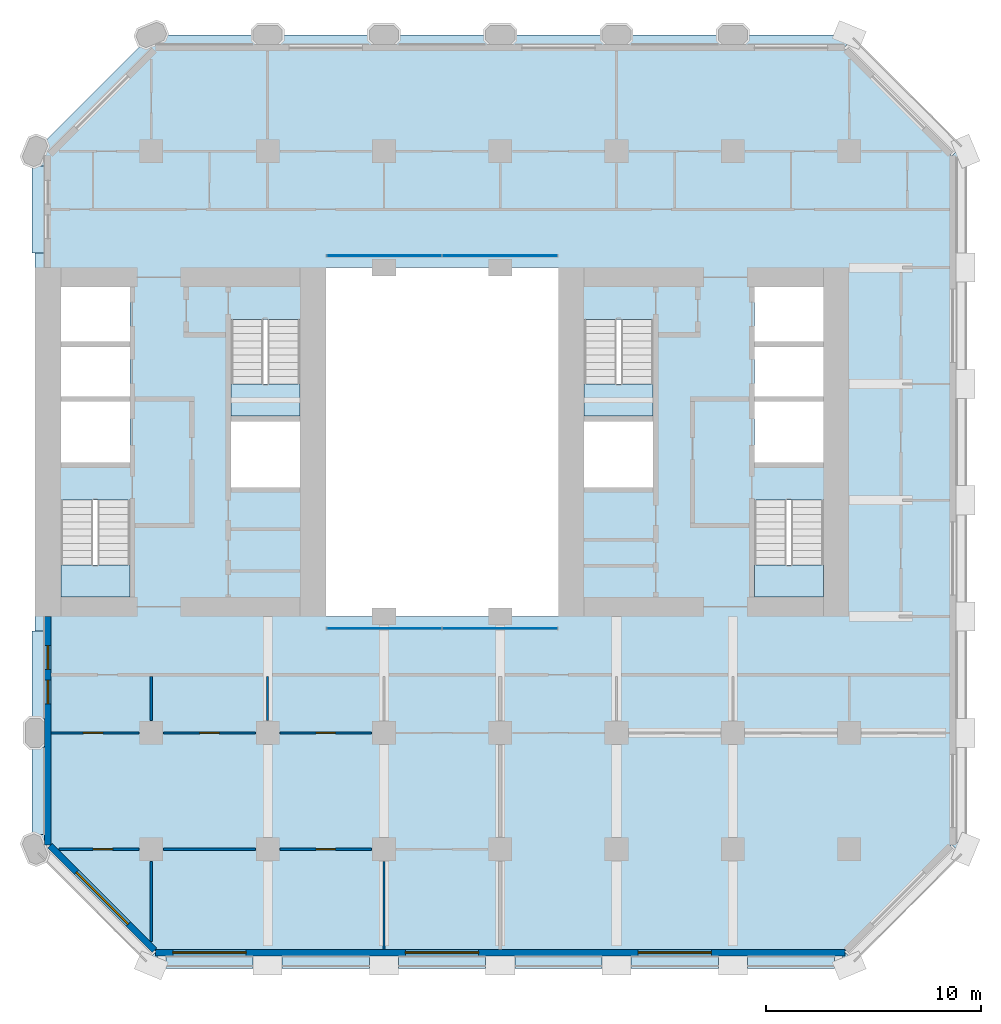
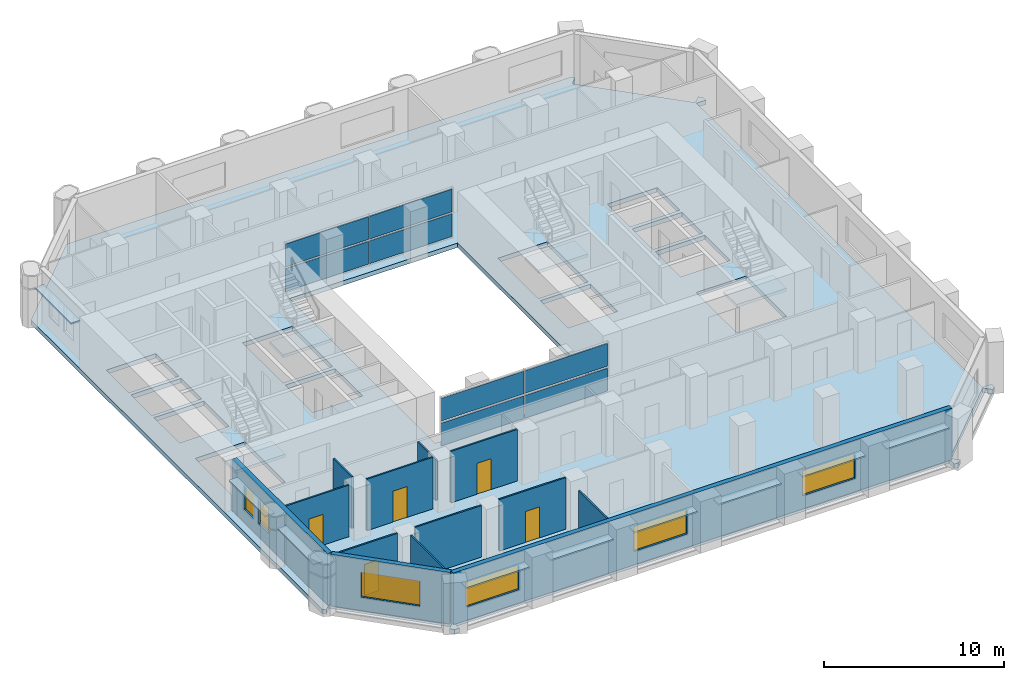
# One storey, part 7 of 13: 17 plates, 13 walls, 6 windows, 5 doors, 5 slabs, 11 openings, 6 elements without a shape of their own.
"""IFC4 building model written with IfcOpenShell, lengths in metres."""

from ifc_helpers import new_model, si_unit, direction, frame, frame_2d, origin, origin_2d, place, context, subcontext, project, spatial, polyline, rectangle, outline, extrude, material, layer, layer_set, type_object, element, fill, aggregate, save


model = new_model("IFC4")

# Units and contexts
model_context = context("Model", 3, precision=1e-05, world=origin(), true_north=direction((0.0, 1.0)))
body_context = subcontext(model_context, "Body", "Model", "MODEL_VIEW")
ifc_project = project(units=[si_unit("LENGTHUNIT", "METRE"), si_unit("AREAUNIT", "SQUARE_METRE"), si_unit("VOLUMEUNIT", "CUBIC_METRE"), si_unit("PLANEANGLEUNIT", "RADIAN"), si_unit("MASSUNIT", "GRAM", prefix="KILO")], contexts=[model_context])

# Site, building, storey
site_placement = place(None, origin())
site = spatial("IfcSite", under=ifc_project, at=site_placement, CompositionType="ELEMENT")
building_placement = place(site_placement, origin())
building = spatial("IfcBuilding", under=site, at=building_placement, Name="Tabaq Tower and Sports Hall", CompositionType="ELEMENT")
storey_placement = place(building_placement, frame((0.0, 0.0, 48.800048828125)))
storey = spatial("IfcBuildingStorey", under=building, at=storey_placement, Name="L10", CompositionType="ELEMENT", Elevation=48.800048828125)

# Curtain wall, plates
ifc_material_1 = material(Name="Aluminium alloy 6063-T6 framed glazing", Category="aluminium")
curtain_wall_type = type_object("IfcCurtainWallType", Name="CW1 curtain wall", PredefinedType="USERDEFINED", material=ifc_material_1)
curtain_wall_1_placement = place(storey_placement, origin())
curtain_wall_1 = element("IfcCurtainWall", 1, at=curtain_wall_1_placement, inside=storey, type_object=curtain_wall_type, Name="Atrium glazing L10 S", ObjectType="ATRIUM ENCLOSURE", PredefinedType="USERDEFINED")
ifc_material_2 = material(Name="Clear low-emissivity glass 28 mm", Category="glass")
ifc_layer_1 = layer(ifc_material_2, 0.028076171875)
ifc_layer_set_1 = layer_set([ifc_layer_1], Name="CW1 glass panel 28")
plate_type_1 = type_object("IfcPlateType", Name="CW1 glass panel 28", PredefinedType="CURTAIN_PANEL", material=ifc_layer_set_1)
plate_1_placement = place(storey_placement, frame((21.614990234375, 15.64990234375, 0.139892578125), z_axis=(0.0, 0.0, 1.0), x_axis=(1.0, 0.0, 0.0)))
plate_1 = element("IfcPlate", 2, at=plate_1_placement, type_object=plate_type_1, Name="CW1 panel 1.1", PredefinedType="CURTAIN_PANEL", context=body_context, shape_type="SweptSolid", body=[
    extrude(rectangle(XDim=5.31005859375, YDim=0.028076171875, at=origin_2d()), origin(), (0.0, 0.0, 1.0), 1.5400390625),
])
plate_2_placement = place(storey_placement, frame((21.614990234375, 15.64990234375, 1.81982421875), z_axis=(0.0, 0.0, 1.0), x_axis=(1.0, 0.0, 0.0)))
plate_2 = element("IfcPlate", 3, at=plate_2_placement, type_object=plate_type_1, Name="CW1 panel 1.2", PredefinedType="CURTAIN_PANEL", context=body_context, shape_type="SweptSolid", body=[
    extrude(rectangle(XDim=5.31005859375, YDim=0.028076171875, at=origin_2d()), origin(), (0.0, 0.0, 1.0), 1.5400390625),
])
plate_3_placement = place(storey_placement, frame((26.985107421875, 15.64990234375, 0.139892578125), z_axis=(0.0, 0.0, 1.0), x_axis=(1.0, 0.0, 0.0)))
plate_3 = element("IfcPlate", 4, at=plate_3_placement, type_object=plate_type_1, Name="CW1 panel 2.1", PredefinedType="CURTAIN_PANEL", context=body_context, shape_type="SweptSolid", body=[
    extrude(rectangle(XDim=5.31005859375, YDim=0.028076171875, at=origin_2d()), origin(), (0.0, 0.0, 1.0), 1.5400390625),
])
plate_4_placement = place(storey_placement, frame((26.985107421875, 15.64990234375, 1.81982421875), z_axis=(0.0, 0.0, 1.0), x_axis=(1.0, 0.0, 0.0)))
plate_4 = element("IfcPlate", 5, at=plate_4_placement, type_object=plate_type_1, Name="CW1 panel 2.2", PredefinedType="CURTAIN_PANEL", context=body_context, shape_type="SweptSolid", body=[
    extrude(rectangle(XDim=5.31005859375, YDim=0.028076171875, at=origin_2d()), origin(), (0.0, 0.0, 1.0), 1.5400390625),
])
aggregate(curtain_wall_1, [plate_1, plate_2, plate_3, plate_4])

curtain_wall_2_placement = place(storey_placement, origin())
curtain_wall_2 = element("IfcCurtainWall", 6, at=curtain_wall_2_placement, inside=storey, type_object=curtain_wall_type, Name="Atrium glazing L10 N", ObjectType="ATRIUM ENCLOSURE", PredefinedType="USERDEFINED")
plate_5_placement = place(storey_placement, frame((21.614990234375, 32.949951171875, 0.139892578125), z_axis=(0.0, 0.0, 1.0), x_axis=(1.0, 0.0, 0.0)))
plate_5 = element("IfcPlate", 7, at=plate_5_placement, type_object=plate_type_1, Name="CW1 panel 1.1", PredefinedType="CURTAIN_PANEL", context=body_context, shape_type="SweptSolid", body=[
    extrude(rectangle(XDim=5.31005859375, YDim=0.028076171875, at=origin_2d()), origin(), (0.0, 0.0, 1.0), 1.5400390625),
])
plate_6_placement = place(storey_placement, frame((21.614990234375, 32.949951171875, 1.81982421875), z_axis=(0.0, 0.0, 1.0), x_axis=(1.0, 0.0, 0.0)))
plate_6 = element("IfcPlate", 8, at=plate_6_placement, type_object=plate_type_1, Name="CW1 panel 1.2", PredefinedType="CURTAIN_PANEL", context=body_context, shape_type="SweptSolid", body=[
    extrude(rectangle(XDim=5.31005859375, YDim=0.028076171875, at=origin_2d()), origin(), (0.0, 0.0, 1.0), 1.5400390625),
])
plate_7_placement = place(storey_placement, frame((26.985107421875, 32.949951171875, 0.139892578125), z_axis=(0.0, 0.0, 1.0), x_axis=(1.0, 0.0, 0.0)))
plate_7 = element("IfcPlate", 9, at=plate_7_placement, type_object=plate_type_1, Name="CW1 panel 2.1", PredefinedType="CURTAIN_PANEL", context=body_context, shape_type="SweptSolid", body=[
    extrude(rectangle(XDim=5.31005859375, YDim=0.028076171875, at=origin_2d()), origin(), (0.0, 0.0, 1.0), 1.5400390625),
])
plate_8_placement = place(storey_placement, frame((26.985107421875, 32.949951171875, 1.81982421875), z_axis=(0.0, 0.0, 1.0), x_axis=(1.0, 0.0, 0.0)))
plate_8 = element("IfcPlate", 10, at=plate_8_placement, type_object=plate_type_1, Name="CW1 panel 2.2", PredefinedType="CURTAIN_PANEL", context=body_context, shape_type="SweptSolid", body=[
    extrude(rectangle(XDim=5.31005859375, YDim=0.028076171875, at=origin_2d()), origin(), (0.0, 0.0, 1.0), 1.5400390625),
])
aggregate(curtain_wall_2, [plate_5, plate_6, plate_7, plate_8])

# Stair, slab
ifc_material_3 = material(Name="Concrete C40/50", Category="concrete")
stair_type = type_object("IfcStairType", Name="Exit stair", PredefinedType="HALF_TURN_STAIR", material=ifc_material_3)
stair_1_placement = place(storey_placement, origin())
stair_1 = element("IfcStair", 11, at=stair_1_placement, inside=storey, type_object=stair_type, Name="L10 Exit stair ST1", PredefinedType="HALF_TURN_STAIR")
ifc_material_4 = material(Name="Concrete C40/50", Category="concrete")
ifc_layer_2 = layer(ifc_material_4, 0.199951171875)
ifc_layer_set_2 = layer_set([ifc_layer_2], Name="Exit stair landing")
slab_type_1 = type_object("IfcSlabType", Name="Exit stair landing", PredefinedType="LANDING", material=ifc_layer_set_2)
slab_1_placement = place(storey_placement, frame((0.0, 0.0, 1.699951171875)))
slab_1 = element("IfcSlab", 12, at=slab_1_placement, type_object=slab_type_1, Name="ST1 landing 1", PredefinedType="LANDING", context=body_context, shape_type="SweptSolid", body=[
    extrude(outline(polyline([(6.60009765625, 18.60009765625), (6.60009765625, 17.10009765625), (9.800048828125, 17.10009765625), (9.800048828125, 18.60009765625), (6.60009765625, 18.60009765625)])), origin(), (0.0, 0.0, 1.0), 0.199951171875),
])
aggregate(stair_1, [slab_1])

stair_2_placement = place(storey_placement, origin())
stair_2 = element("IfcStair", 13, at=stair_2_placement, inside=storey, type_object=stair_type, Name="L10 Exit stair ST2", PredefinedType="HALF_TURN_STAIR")
slab_2_placement = place(storey_placement, frame((0.0, 0.0, 1.699951171875)))
slab_2 = element("IfcSlab", 14, at=slab_2_placement, type_object=slab_type_1, Name="ST2 landing 1", PredefinedType="LANDING", context=body_context, shape_type="SweptSolid", body=[
    extrude(outline(polyline([(14.5, 27.0), (14.5, 25.5), (17.699951171875, 25.5), (17.699951171875, 27.0), (14.5, 27.0)])), origin(), (0.0, 0.0, 1.0), 0.199951171875),
])
aggregate(stair_2, [slab_2])

stair_3_placement = place(storey_placement, origin())
stair_3 = element("IfcStair", 15, at=stair_3_placement, inside=storey, type_object=stair_type, Name="L10 Exit stair ST3", PredefinedType="HALF_TURN_STAIR")
slab_3_placement = place(storey_placement, frame((0.0, 0.0, 1.699951171875)))
slab_3 = element("IfcSlab", 16, at=slab_3_placement, type_object=slab_type_1, Name="ST3 landing 1", PredefinedType="LANDING", context=body_context, shape_type="SweptSolid", body=[
    extrude(outline(polyline([(38.800048828125, 18.60009765625), (38.800048828125, 17.10009765625), (42.0, 17.10009765625), (42.0, 18.60009765625), (38.800048828125, 18.60009765625)])), origin(), (0.0, 0.0, 1.0), 0.199951171875),
])
aggregate(stair_3, [slab_3])

stair_4_placement = place(storey_placement, origin())
stair_4 = element("IfcStair", 17, at=stair_4_placement, inside=storey, type_object=stair_type, Name="L10 Exit stair ST4", PredefinedType="HALF_TURN_STAIR")
slab_4_placement = place(storey_placement, frame((0.0, 0.0, 1.699951171875)))
slab_4 = element("IfcSlab", 18, at=slab_4_placement, type_object=slab_type_1, Name="ST4 landing 1", PredefinedType="LANDING", context=body_context, shape_type="SweptSolid", body=[
    extrude(outline(polyline([(30.89990234375, 27.0), (30.89990234375, 25.5), (34.10009765625, 25.5), (34.10009765625, 27.0), (30.89990234375, 27.0)])), origin(), (0.0, 0.0, 1.0), 0.199951171875),
])
aggregate(stair_4, [slab_4])

# Slab
ifc_material_5 = material(Name="Concrete C40/50", Category="concrete")
ifc_layer_3 = layer(ifc_material_5, 0.300048828125)
ifc_layer_set_3 = layer_set([ifc_layer_3], Name="PT FLOOR SLAB 300 C40/50")
slab_type_2 = type_object("IfcSlabType", Name="PT FLOOR SLAB 300 C40/50", PredefinedType="FLOOR", material=ifc_layer_set_3)
slab_5_placement = place(storey_placement, frame((0.0, 0.0, -0.300048828125)))
element("IfcSlab", 19, at=slab_5_placement, inside=storey, type_object=slab_type_2, Name="Floor Slab L10", PredefinedType="FLOOR", context=body_context, shape_type="SweptSolid", body=[
    extrude(outline(polyline([(5.39990234375, 37.800048828125), (5.39990234375, 5.39990234375), (5.57666015625, 5.22314453125), (5.930419921875, 5.57666015625), (6.0009765625, 5.6474609375), (11.01318359375, 0.63525390625), (10.5888671875, 0.211181640625), (10.800048828125, 0.0), (11.0986328125, 0.0), (11.0986328125, 0.5), (11.0986328125, 0.60009765625), (42.9013671875, 0.60009765625), (42.9013671875, 0.5), (42.9013671875, 0.0), (43.199951171875, 0.0), (43.4111328125, 0.211181640625), (42.98681640625, 0.63525390625), (47.964599609375, 5.61328125), (48.035400390625, 5.54248046875), (48.388916015625, 5.18896484375), (48.60009765625, 5.39990234375), (48.60009765625, 5.698486328125), (48.10009765625, 5.698486328125), (48.0, 5.698486328125), (48.0, 37.50146484375), (48.10009765625, 37.50146484375), (48.60009765625, 37.50146484375), (48.60009765625, 37.800048828125), (48.388916015625, 38.010986328125), (48.035400390625, 37.657470703125), (47.964599609375, 37.5869140625), (42.952392578125, 42.598876953125), (43.023193359375, 42.669677734375), (43.376708984375, 43.023193359375), (43.199951171875, 43.199951171875), (10.800048828125, 43.199951171875), (5.39990234375, 37.800048828125)]), holes=[polyline([(6.60009765625, 21.599365234375), (9.800048828125, 21.599365234375), (9.800048828125, 17.10009765625), (6.60009765625, 17.10009765625), (6.60009765625, 21.599365234375)]), polyline([(17.699951171875, 25.25), (17.699951171875, 22.199951171875), (14.5, 22.199951171875), (14.5, 25.25), (17.699951171875, 25.25)]), polyline([(18.89990234375, 32.39990234375), (29.699951171875, 32.39990234375), (29.699951171875, 16.199951171875), (18.89990234375, 16.199951171875), (18.89990234375, 32.39990234375)]), polyline([(6.60009765625, 26.175048828125), (9.800048828125, 26.175048828125), (9.800048828125, 23.35009765625), (6.60009765625, 23.35009765625), (6.60009765625, 26.175048828125)]), polyline([(9.800048828125, 28.72509765625), (9.800048828125, 26.425048828125), (6.60009765625, 26.425048828125), (6.60009765625, 28.72509765625), (9.800048828125, 28.72509765625)]), polyline([(17.699951171875, 29.99951171875), (17.699951171875, 25.5), (14.5, 25.5), (14.5, 29.99951171875), (17.699951171875, 29.99951171875)]), polyline([(6.60009765625, 31.5), (9.800048828125, 31.5), (9.800048828125, 28.97509765625), (6.60009765625, 28.97509765625), (6.60009765625, 31.5)]), polyline([(42.0, 21.599365234375), (42.0, 17.10009765625), (38.800048828125, 17.10009765625), (38.800048828125, 21.599365234375), (42.0, 21.599365234375)]), polyline([(34.10009765625, 25.25), (34.10009765625, 22.199951171875), (30.89990234375, 22.199951171875), (30.89990234375, 25.25), (34.10009765625, 25.25)]), polyline([(42.0, 26.175048828125), (42.0, 23.35009765625), (38.800048828125, 23.35009765625), (38.800048828125, 26.175048828125), (42.0, 26.175048828125)]), polyline([(42.0, 28.72509765625), (42.0, 26.425048828125), (38.800048828125, 26.425048828125), (38.800048828125, 28.72509765625), (42.0, 28.72509765625)]), polyline([(34.10009765625, 29.99951171875), (34.10009765625, 25.5), (30.89990234375, 25.5), (30.89990234375, 29.99951171875), (34.10009765625, 29.99951171875)]), polyline([(42.0, 31.5), (42.0, 28.97509765625), (38.800048828125, 28.97509765625), (38.800048828125, 31.5), (42.0, 31.5)])]), origin(), (0.0, 0.0, 1.0), 0.300048828125),
])

# Plates
ifc_material_6 = material(Name="White precast concrete C60/75 blade", Category="concrete")
ifc_layer_4 = layer(ifc_material_6, 0.10009765625)
ifc_layer_set_4 = layer_set([ifc_layer_4], Name="White precast concrete C60/75 sunshade 100")
plate_type_2 = type_object("IfcPlateType", Name="White precast concrete C60/75 sunshade 100", PredefinedType="USERDEFINED", material=ifc_layer_set_4)
for number, where, z_axis, x_axis, name in (
    (20, (13.5, 0.14990234375, 2.599853515625), (0.0, 0.0, 1.0), (1.0, 0.0, 0.0), "Sunshade L10 S"),
    (21, (18.89990234375, 0.14990234375, 2.599853515625), (0.0, 0.0, 1.0), (1.0, 0.0, 0.0), "Sunshade L10 S"),
    (22, (24.300048828125, 0.14990234375, 2.599853515625), (0.0, 0.0, 1.0), (1.0, 0.0, 0.0), "Sunshade L10 S"),
    (23, (29.699951171875, 0.14990234375, 2.599853515625), (0.0, 0.0, 1.0), (1.0, 0.0, 0.0), "Sunshade L10 S"),
    (24, (35.10009765625, 0.14990234375, 2.599853515625), (0.0, 0.0, 1.0), (1.0, 0.0, 0.0), "Sunshade L10 S"),
    (25, (40.5, 0.14990234375, 2.599853515625), (0.0, 0.0, 1.0), (1.0, 0.0, 0.0), "Sunshade L10 S"),
    (26, (5.550048828125, 35.10009765625, 2.599853515625), (0.0, 0.0, 1.0), (0.0, -1.0, 0.0), "Sunshade L10 W"),
    (27, (5.550048828125, 13.5, 2.599853515625), (0.0, 0.0, 1.0), (0.0, -1.0, 0.0), "Sunshade L10 W"),
    (28, (5.550048828125, 8.10009765625, 2.599853515625), (0.0, 0.0, 1.0), (0.0, -1.0, 0.0), "Sunshade L10 W"),
):
    element("IfcPlate", number, at=place(storey_placement, frame(where, z_axis=z_axis, x_axis=x_axis)), inside=storey, type_object=plate_type_2, Name=name, ObjectType="SUNSHADE", PredefinedType="USERDEFINED", context=body_context, shape_type="SweptSolid", body=[
        extrude(rectangle(XDim=4.050048828125, YDim=0.60009765625, at=origin_2d()), origin(), (0.0, 0.0, 1.0), 0.10009765625),
    ])

# Wall, opening, door
ifc_material_7 = material(Name="Gypsum board on steel studs", Category="steel")
ifc_layer_5 = layer(ifc_material_7, 0.10009765625)
ifc_layer_set_5 = layer_set([ifc_layer_5], Name="Partition 100 Gypsum board")
wall_type_1 = type_object("IfcWallType", Name="Partition 100 Gypsum board", PredefinedType="PARTITIONING", material=ifc_layer_set_5)
wall_1_placement = place(storey_placement, frame((6.15087890625, 10.800048828125, 0.0), z_axis=(0.0, 0.0, 1.0), x_axis=(1.0, 0.0, 0.0)))
wall_1 = element("IfcWall", 29, at=wall_1_placement, inside=storey, type_object=wall_type_1, Name="Partition wall L10", PredefinedType="PARTITIONING", context=body_context, shape_type="SweptSolid", body=[
    extrude(rectangle(XDim=4.0791015625, YDim=0.10009765625, at=frame_2d((2.03955078125, 0.0))), origin(), (0.0, 0.0, 1.0), 3.5),
])
opening_1_placement = place(wall_1_placement, frame((1.4990234375, 0.0, 0.0)))
opening_1 = element("IfcOpeningElement", 30, at=opening_1_placement, cuts=wall_1, Name="Opening L10-027", PredefinedType="OPENING", context=body_context, shape_type="SweptSolid", body=[
    extrude(rectangle(XDim=0.89990234375, YDim=2.10009765625, at=frame_2d((0.449951171875, 1.050048828125))), frame((0.0, 0.050048828125, 0.0), z_axis=(0.0, -1.0, 0.0), x_axis=(1.0, 0.0, 0.0)), (0.0, 0.0, 1.0), 0.10009765625),
])
ifc_material_8 = material(Name="Timber leaf in steel frame", Category="steel")
door_type_1 = type_object("IfcDoorType", Name="Internal door 900 left hand", OperationType="SINGLE_SWING_LEFT", PredefinedType="DOOR", material=ifc_material_8)
door_1_placement = place(opening_1_placement, origin())
door_1 = element("IfcDoor", 31, at=door_1_placement, inside=storey, type_object=door_type_1, Name="Internal door L10-027", OperationType="SINGLE_SWING_LEFT", OverallHeight=2.10009765625, OverallWidth=0.89990234375, PredefinedType="DOOR", context=body_context, shape_type="SweptSolid", body=[
    extrude(rectangle(XDim=0.89990234375, YDim=2.10009765625, at=frame_2d((0.449951171875, 1.050048828125))), frame((0.0, 0.02490234375, 0.0), z_axis=(0.0, -1.0, 0.0), x_axis=(1.0, 0.0, 0.0)), (0.0, 0.0, 1.0), 0.050048828125),
])
fill(opening_1, door_1)

# Wall
wall_2_placement = place(storey_placement, frame((10.800048828125, 11.3701171875, 0.0), z_axis=(0.0, 0.0, 1.0), x_axis=(0.0, 1.0, 0.0)))
element("IfcWall", 32, at=wall_2_placement, inside=storey, type_object=wall_type_1, Name="Partition wall L10", PredefinedType="PARTITIONING", context=body_context, shape_type="SweptSolid", body=[
    extrude(rectangle(XDim=2.054931640625, YDim=0.10009765625, at=frame_2d((1.02734375, 0.0))), origin(), (0.0, 0.0, 1.0), 3.5),
])

# Wall, opening, door
wall_3_placement = place(storey_placement, frame((11.3701171875, 10.800048828125, 0.0), z_axis=(0.0, 0.0, 1.0), x_axis=(1.0, 0.0, 0.0)))
wall_3 = element("IfcWall", 33, at=wall_3_placement, inside=storey, type_object=wall_type_1, Name="Partition wall L10", PredefinedType="PARTITIONING", context=body_context, shape_type="SweptSolid", body=[
    extrude(rectangle(XDim=4.259765625, YDim=0.10009765625, at=frame_2d((2.1298828125, 0.0))), origin(), (0.0, 0.0, 1.0), 3.5),
])
opening_2_placement = place(wall_3_placement, frame((1.679931640625, 0.0, 0.0)))
opening_2 = element("IfcOpeningElement", 34, at=opening_2_placement, cuts=wall_3, Name="Opening L10-013", PredefinedType="OPENING", context=body_context, shape_type="SweptSolid", body=[
    extrude(rectangle(XDim=0.89990234375, YDim=2.10009765625, at=frame_2d((0.449951171875, 1.050048828125))), frame((0.0, 0.050048828125, 0.0), z_axis=(0.0, -1.0, 0.0), x_axis=(1.0, 0.0, 0.0)), (0.0, 0.0, 1.0), 0.10009765625),
])
ifc_material_9 = material(Name="Timber leaf in steel frame", Category="steel")
door_type_2 = type_object("IfcDoorType", Name="Internal door 900 right hand", OperationType="SINGLE_SWING_RIGHT", PredefinedType="DOOR", material=ifc_material_9)
door_2_placement = place(opening_2_placement, origin())
door_2 = element("IfcDoor", 35, at=door_2_placement, inside=storey, type_object=door_type_2, Name="Internal door L10-013", OperationType="SINGLE_SWING_RIGHT", OverallHeight=2.10009765625, OverallWidth=0.89990234375, PredefinedType="DOOR", context=body_context, shape_type="SweptSolid", body=[
    extrude(rectangle(XDim=0.89990234375, YDim=2.10009765625, at=frame_2d((0.449951171875, 1.050048828125))), frame((0.0, 0.02490234375, 0.0), z_axis=(0.0, -1.0, 0.0), x_axis=(1.0, 0.0, 0.0)), (0.0, 0.0, 1.0), 0.050048828125),
])
fill(opening_2, door_2)

# Wall
wall_4_placement = place(storey_placement, frame((16.199951171875, 11.3701171875, 0.0), z_axis=(0.0, 0.0, 1.0), x_axis=(0.0, 1.0, 0.0)))
element("IfcWall", 36, at=wall_4_placement, inside=storey, type_object=wall_type_1, Name="Partition wall L10", PredefinedType="PARTITIONING", context=body_context, shape_type="SweptSolid", body=[
    extrude(rectangle(XDim=2.054931640625, YDim=0.10009765625, at=frame_2d((1.02734375, 0.0))), origin(), (0.0, 0.0, 1.0), 2.75),
])

# Wall, opening, door
wall_5_placement = place(storey_placement, frame((16.77001953125, 10.800048828125, 0.0), z_axis=(0.0, 0.0, 1.0), x_axis=(1.0, 0.0, 0.0)))
wall_5 = element("IfcWall", 37, at=wall_5_placement, inside=storey, type_object=wall_type_1, Name="Partition wall L10", PredefinedType="PARTITIONING", context=body_context, shape_type="SweptSolid", body=[
    extrude(rectangle(XDim=4.260009765625, YDim=0.10009765625, at=frame_2d((2.1298828125, 0.0))), origin(), (0.0, 0.0, 1.0), 3.5),
])
opening_3_placement = place(wall_5_placement, frame((1.679931640625, 0.0, 0.0)))
opening_3 = element("IfcOpeningElement", 38, at=opening_3_placement, cuts=wall_5, Name="Opening L10-014", PredefinedType="OPENING", context=body_context, shape_type="SweptSolid", body=[
    extrude(rectangle(XDim=0.89990234375, YDim=2.10009765625, at=frame_2d((0.449951171875, 1.050048828125))), frame((0.0, 0.050048828125, 0.0), z_axis=(0.0, -1.0, 0.0), x_axis=(1.0, 0.0, 0.0)), (0.0, 0.0, 1.0), 0.10009765625),
])
door_3_placement = place(opening_3_placement, origin())
door_3 = element("IfcDoor", 39, at=door_3_placement, inside=storey, type_object=door_type_2, Name="Internal door L10-014", OperationType="SINGLE_SWING_RIGHT", OverallHeight=2.10009765625, OverallWidth=0.89990234375, PredefinedType="DOOR", context=body_context, shape_type="SweptSolid", body=[
    extrude(rectangle(XDim=0.89990234375, YDim=2.10009765625, at=frame_2d((0.449951171875, 1.050048828125))), frame((0.0, 0.02490234375, 0.0), z_axis=(0.0, -1.0, 0.0), x_axis=(1.0, 0.0, 0.0)), (0.0, 0.0, 1.0), 0.050048828125),
])
fill(opening_3, door_3)

wall_6_placement = place(storey_placement, frame((6.51220703125, 5.39990234375, 0.0), z_axis=(0.0, 0.0, 1.0), x_axis=(1.0, 0.0, 0.0)))
wall_6 = element("IfcWall", 40, at=wall_6_placement, inside=storey, type_object=wall_type_1, Name="Partition wall L10", PredefinedType="PARTITIONING", context=body_context, shape_type="SweptSolid", body=[
    extrude(rectangle(XDim=3.7177734375, YDim=0.10009765625, at=frame_2d((1.85888671875, 0.0))), origin(), (0.0, 0.0, 1.0), 3.5),
])
opening_4_placement = place(wall_6_placement, frame((1.587890625, 0.0, 0.0)))
opening_4 = element("IfcOpeningElement", 41, at=opening_4_placement, cuts=wall_6, Name="Opening L10-016", PredefinedType="OPENING", context=body_context, shape_type="SweptSolid", body=[
    extrude(rectangle(XDim=0.89990234375, YDim=2.10009765625, at=frame_2d((0.449951171875, 1.050048828125))), frame((0.0, 0.050048828125, 0.0), z_axis=(0.0, -1.0, 0.0), x_axis=(1.0, 0.0, 0.0)), (0.0, 0.0, 1.0), 0.10009765625),
])
door_4_placement = place(opening_4_placement, origin())
door_4 = element("IfcDoor", 42, at=door_4_placement, inside=storey, type_object=door_type_2, Name="Internal door L10-016", OperationType="SINGLE_SWING_RIGHT", OverallHeight=2.10009765625, OverallWidth=0.89990234375, PredefinedType="DOOR", context=body_context, shape_type="SweptSolid", body=[
    extrude(rectangle(XDim=0.89990234375, YDim=2.10009765625, at=frame_2d((0.449951171875, 1.050048828125))), frame((0.0, 0.02490234375, 0.0), z_axis=(0.0, -1.0, 0.0), x_axis=(1.0, 0.0, 0.0)), (0.0, 0.0, 1.0), 0.050048828125),
])
fill(opening_4, door_4)

# Wall
wall_7_placement = place(storey_placement, frame((11.3701171875, 5.39990234375, 0.0), z_axis=(0.0, 0.0, 1.0), x_axis=(1.0, 0.0, 0.0)))
element("IfcWall", 43, at=wall_7_placement, inside=storey, type_object=wall_type_1, Name="Partition wall L10", PredefinedType="PARTITIONING", context=body_context, shape_type="SweptSolid", body=[
    extrude(rectangle(XDim=4.259765625, YDim=0.10009765625, at=frame_2d((2.1298828125, 0.0))), origin(), (0.0, 0.0, 1.0), 3.5),
])

# Wall, opening, door
wall_8_placement = place(storey_placement, frame((16.77001953125, 5.39990234375, 0.0), z_axis=(0.0, 0.0, 1.0), x_axis=(1.0, 0.0, 0.0)))
wall_8 = element("IfcWall", 44, at=wall_8_placement, inside=storey, type_object=wall_type_1, Name="Partition wall L10", PredefinedType="PARTITIONING", context=body_context, shape_type="SweptSolid", body=[
    extrude(rectangle(XDim=4.260009765625, YDim=0.10009765625, at=frame_2d((2.1298828125, 0.0))), origin(), (0.0, 0.0, 1.0), 3.5),
])
opening_5_placement = place(wall_8_placement, frame((1.679931640625, 0.0, 0.0)))
opening_5 = element("IfcOpeningElement", 45, at=opening_5_placement, cuts=wall_8, Name="Opening L10-017", PredefinedType="OPENING", context=body_context, shape_type="SweptSolid", body=[
    extrude(rectangle(XDim=0.89990234375, YDim=2.10009765625, at=frame_2d((0.449951171875, 1.050048828125))), frame((0.0, 0.050048828125, 0.0), z_axis=(0.0, -1.0, 0.0), x_axis=(1.0, 0.0, 0.0)), (0.0, 0.0, 1.0), 0.10009765625),
])
door_5_placement = place(opening_5_placement, origin())
door_5 = element("IfcDoor", 46, at=door_5_placement, inside=storey, type_object=door_type_2, Name="Internal door L10-017", OperationType="SINGLE_SWING_RIGHT", OverallHeight=2.10009765625, OverallWidth=0.89990234375, PredefinedType="DOOR", context=body_context, shape_type="SweptSolid", body=[
    extrude(rectangle(XDim=0.89990234375, YDim=2.10009765625, at=frame_2d((0.449951171875, 1.050048828125))), frame((0.0, 0.02490234375, 0.0), z_axis=(0.0, -1.0, 0.0), x_axis=(1.0, 0.0, 0.0)), (0.0, 0.0, 1.0), 0.050048828125),
])
fill(opening_5, door_5)

# Walls
wall_9_placement = place(storey_placement, frame((10.800048828125, 1.112060546875, 0.0), z_axis=(0.0, 0.0, 1.0), x_axis=(0.0, 1.0, 0.0)))
element("IfcWall", 47, at=wall_9_placement, inside=storey, type_object=wall_type_1, Name="Partition wall L10", PredefinedType="PARTITIONING", context=body_context, shape_type="SweptSolid", body=[
    extrude(rectangle(XDim=3.718017578125, YDim=0.10009765625, at=frame_2d((1.85888671875, 0.0))), origin(), (0.0, 0.0, 1.0), 3.5),
])
wall_10_placement = place(storey_placement, frame((21.60009765625, 0.7509765625, 0.0), z_axis=(0.0, 0.0, 1.0), x_axis=(0.0, 1.0, 0.0)))
element("IfcWall", 48, at=wall_10_placement, inside=storey, type_object=wall_type_1, Name="Partition wall L10", PredefinedType="PARTITIONING", context=body_context, shape_type="SweptSolid", body=[
    extrude(rectangle(XDim=4.0791015625, YDim=0.10009765625, at=frame_2d((2.03955078125, 0.0))), origin(), (0.0, 0.0, 1.0), 2.75),
])

# Wall, openings, windows
ifc_material_10 = material(Name="White precast concrete C60/75", Category="concrete")
ifc_layer_6 = layer(ifc_material_10, 0.300048828125)
ifc_layer_set_6 = layer_set([ifc_layer_6], Name="White precast concrete C60/75 external wall 300")
wall_type_2 = type_object("IfcWallType", Name="White precast concrete C60/75 external wall 300", PredefinedType="SOLIDWALL", material=ifc_layer_set_6)
wall_11_placement = place(storey_placement, frame((10.986328125, 0.60009765625, 0.0), z_axis=(0.0, 0.0, 1.0), x_axis=(1.0, 0.0, 0.0)))
wall_11 = element("IfcWall", 49, at=wall_11_placement, inside=storey, type_object=wall_type_2, Name="External Wall L10 S", PredefinedType="SOLIDWALL", context=body_context, shape_type="SweptSolid", body=[
    extrude(rectangle(XDim=32.02734375, YDim=0.300048828125, at=frame_2d((16.013671875, 0.0))), origin(), (0.0, 0.0, 1.0), 3.5),
])
opening_6_placement = place(wall_11_placement, frame((0.813720703125, 0.0, 0.89990234375)))
opening_6 = element("IfcOpeningElement", 50, at=opening_6_placement, cuts=wall_11, Name="Opening W1A", PredefinedType="OPENING", context=body_context, shape_type="SweptSolid", body=[
    extrude(rectangle(XDim=3.39990234375, YDim=1.699951171875, at=frame_2d((1.699951171875, 0.85009765625))), frame((0.0, 0.16015625, 0.0), z_axis=(0.0, -1.0, 0.0), x_axis=(1.0, 0.0, 0.0)), (0.0, 0.0, 1.0), 0.320068359375),
])
opening_7_placement = place(wall_11_placement, frame((11.613525390625, 0.0, 0.89990234375)))
opening_7 = element("IfcOpeningElement", 51, at=opening_7_placement, cuts=wall_11, Name="Opening W1A", PredefinedType="OPENING", context=body_context, shape_type="SweptSolid", body=[
    extrude(rectangle(XDim=3.39990234375, YDim=1.699951171875, at=frame_2d((1.699951171875, 0.85009765625))), frame((0.0, 0.16015625, 0.0), z_axis=(0.0, -1.0, 0.0), x_axis=(1.0, 0.0, 0.0)), (0.0, 0.0, 1.0), 0.320068359375),
])
opening_8_placement = place(wall_11_placement, frame((22.41357421875, 0.0, 0.89990234375)))
opening_8 = element("IfcOpeningElement", 52, at=opening_8_placement, cuts=wall_11, Name="Opening W1A", PredefinedType="OPENING", context=body_context, shape_type="SweptSolid", body=[
    extrude(rectangle(XDim=3.39990234375, YDim=1.699951171875, at=frame_2d((1.699951171875, 0.85009765625))), frame((0.0, 0.16015625, 0.0), z_axis=(0.0, -1.0, 0.0), x_axis=(1.0, 0.0, 0.0)), (0.0, 0.0, 1.0), 0.320068359375),
])
ifc_material_11 = material(Name="Aluminium framed clear glazing", Category="aluminium")
window_type_1 = type_object("IfcWindowType", Name="Window W1A", PartitioningType="SINGLE_PANEL", PredefinedType="WINDOW", material=ifc_material_11)
window_1_placement = place(opening_6_placement, origin())
window_1 = element("IfcWindow", 53, at=window_1_placement, inside=storey, type_object=window_type_1, Name="Window W1A L10", OverallHeight=1.699951171875, OverallWidth=3.39990234375, PartitioningType="SINGLE_PANEL", PredefinedType="WINDOW", context=body_context, shape_type="SweptSolid", body=[
    extrude(rectangle(XDim=3.39990234375, YDim=1.699951171875, at=frame_2d((1.699951171875, 0.85009765625))), frame((0.0, 0.030029296875, 0.0), z_axis=(0.0, -1.0, 0.0), x_axis=(1.0, 0.0, 0.0)), (0.0, 0.0, 1.0), 0.06005859375),
])
fill(opening_6, window_1)
window_2_placement = place(opening_7_placement, origin())
window_2 = element("IfcWindow", 54, at=window_2_placement, inside=storey, type_object=window_type_1, Name="Window W1A L10", OverallHeight=1.699951171875, OverallWidth=3.39990234375, PartitioningType="SINGLE_PANEL", PredefinedType="WINDOW", context=body_context, shape_type="SweptSolid", body=[
    extrude(rectangle(XDim=3.39990234375, YDim=1.699951171875, at=frame_2d((1.699951171875, 0.85009765625))), frame((0.0, 0.030029296875, 0.0), z_axis=(0.0, -1.0, 0.0), x_axis=(1.0, 0.0, 0.0)), (0.0, 0.0, 1.0), 0.06005859375),
])
fill(opening_7, window_2)
window_3_placement = place(opening_8_placement, origin())
window_3 = element("IfcWindow", 55, at=window_3_placement, inside=storey, type_object=window_type_1, Name="Window W1A L10", OverallHeight=1.699951171875, OverallWidth=3.39990234375, PartitioningType="SINGLE_PANEL", PredefinedType="WINDOW", context=body_context, shape_type="SweptSolid", body=[
    extrude(rectangle(XDim=3.39990234375, YDim=1.699951171875, at=frame_2d((1.699951171875, 0.85009765625))), frame((0.0, 0.030029296875, 0.0), z_axis=(0.0, -1.0, 0.0), x_axis=(1.0, 0.0, 0.0)), (0.0, 0.0, 1.0), 0.06005859375),
])
fill(opening_8, window_3)

wall_12_placement = place(storey_placement, frame((6.0, 16.199951171875, 0.0), z_axis=(0.0, 0.0, 1.0), x_axis=(0.0, -1.0, 0.0)))
wall_12 = element("IfcWall", 56, at=wall_12_placement, inside=storey, type_object=wall_type_2, Name="External Wall L10 W", PredefinedType="SOLIDWALL", context=body_context, shape_type="SweptSolid", body=[
    extrude(rectangle(XDim=10.613525390625, YDim=0.300048828125, at=frame_2d((5.306640625, 0.0))), origin(), (0.0, 0.0, 1.0), 3.5),
])
opening_9_placement = place(wall_12_placement, frame((1.35009765625, 0.0, 0.89990234375)))
opening_9 = element("IfcOpeningElement", 57, at=opening_9_placement, cuts=wall_12, Name="Opening W1B", PredefinedType="OPENING", context=body_context, shape_type="SweptSolid", body=[
    extrude(rectangle(XDim=1.10009765625, YDim=1.699951171875, at=frame_2d((0.550048828125, 0.85009765625))), frame((0.0, 0.16015625, 0.0), z_axis=(0.0, -1.0, 0.0), x_axis=(1.0, 0.0, 0.0)), (0.0, 0.0, 1.0), 0.320068359375),
])
opening_10_placement = place(wall_12_placement, frame((2.949951171875, 0.0, 0.89990234375)))
opening_10 = element("IfcOpeningElement", 58, at=opening_10_placement, cuts=wall_12, Name="Opening W1B", PredefinedType="OPENING", context=body_context, shape_type="SweptSolid", body=[
    extrude(rectangle(XDim=1.10009765625, YDim=1.699951171875, at=frame_2d((0.550048828125, 0.85009765625))), frame((0.0, 0.16015625, 0.0), z_axis=(0.0, -1.0, 0.0), x_axis=(1.0, 0.0, 0.0)), (0.0, 0.0, 1.0), 0.320068359375),
])
ifc_material_12 = material(Name="Aluminium framed clear glazing", Category="aluminium")
window_type_2 = type_object("IfcWindowType", Name="Window W1B", PartitioningType="SINGLE_PANEL", PredefinedType="WINDOW", material=ifc_material_12)
window_4_placement = place(opening_9_placement, origin())
window_4 = element("IfcWindow", 59, at=window_4_placement, inside=storey, type_object=window_type_2, Name="Window W1B L10", OverallHeight=1.699951171875, OverallWidth=1.10009765625, PartitioningType="SINGLE_PANEL", PredefinedType="WINDOW", context=body_context, shape_type="SweptSolid", body=[
    extrude(rectangle(XDim=1.10009765625, YDim=1.699951171875, at=frame_2d((0.550048828125, 0.85009765625))), frame((0.0, 0.030029296875, 0.0), z_axis=(0.0, -1.0, 0.0), x_axis=(1.0, 0.0, 0.0)), (0.0, 0.0, 1.0), 0.06005859375),
])
fill(opening_9, window_4)
window_5_placement = place(opening_10_placement, origin())
window_5 = element("IfcWindow", 60, at=window_5_placement, inside=storey, type_object=window_type_2, Name="Window W1B L10", OverallHeight=1.699951171875, OverallWidth=1.10009765625, PartitioningType="SINGLE_PANEL", PredefinedType="WINDOW", context=body_context, shape_type="SweptSolid", body=[
    extrude(rectangle(XDim=1.10009765625, YDim=1.699951171875, at=frame_2d((0.550048828125, 0.85009765625))), frame((0.0, 0.030029296875, 0.0), z_axis=(0.0, -1.0, 0.0), x_axis=(1.0, 0.0, 0.0)), (0.0, 0.0, 1.0), 0.06005859375),
])
fill(opening_10, window_5)

# Wall, opening, window
wall_13_placement = place(storey_placement, frame((6.098876953125, 5.549560546875, 0.0), z_axis=(0.0, 0.0, 1.0), x_axis=(0.707106781187, -0.707106781187, 0.0)))
wall_13 = element("IfcWall", 61, at=wall_13_placement, inside=storey, type_object=wall_type_2, Name="External Wall L10 SW", PredefinedType="SOLIDWALL", context=body_context, shape_type="SweptSolid", body=[
    extrude(rectangle(XDim=6.85986328125, YDim=0.300048828125, at=frame_2d((3.429931640625, 0.0))), origin(), (0.0, 0.0, 1.0), 3.5),
])
opening_11_placement = place(wall_13_placement, frame((1.729736328125, 0.0, 0.89990234375)))
opening_11 = element("IfcOpeningElement", 62, at=opening_11_placement, cuts=wall_13, Name="Opening W1A", PredefinedType="OPENING", context=body_context, shape_type="SweptSolid", body=[
    extrude(rectangle(XDim=3.39990234375, YDim=1.699951171875, at=frame_2d((1.699951171875, 0.85009765625))), frame((0.0, 0.16015625, 0.0), z_axis=(0.0, -1.0, 0.0), x_axis=(1.0, 0.0, 0.0)), (0.0, 0.0, 1.0), 0.320068359375),
])
window_6_placement = place(opening_11_placement, origin())
window_6 = element("IfcWindow", 63, at=window_6_placement, inside=storey, type_object=window_type_1, Name="Window W1A L10", OverallHeight=1.699951171875, OverallWidth=3.39990234375, PartitioningType="SINGLE_PANEL", PredefinedType="WINDOW", context=body_context, shape_type="SweptSolid", body=[
    extrude(rectangle(XDim=3.39990234375, YDim=1.699951171875, at=frame_2d((1.699951171875, 0.85009765625))), frame((0.0, 0.030029296875, 0.0), z_axis=(0.0, -1.0, 0.0), x_axis=(1.0, 0.0, 0.0)), (0.0, 0.0, 1.0), 0.06005859375),
])
fill(opening_11, window_6)

save(model, "model.ifc")
